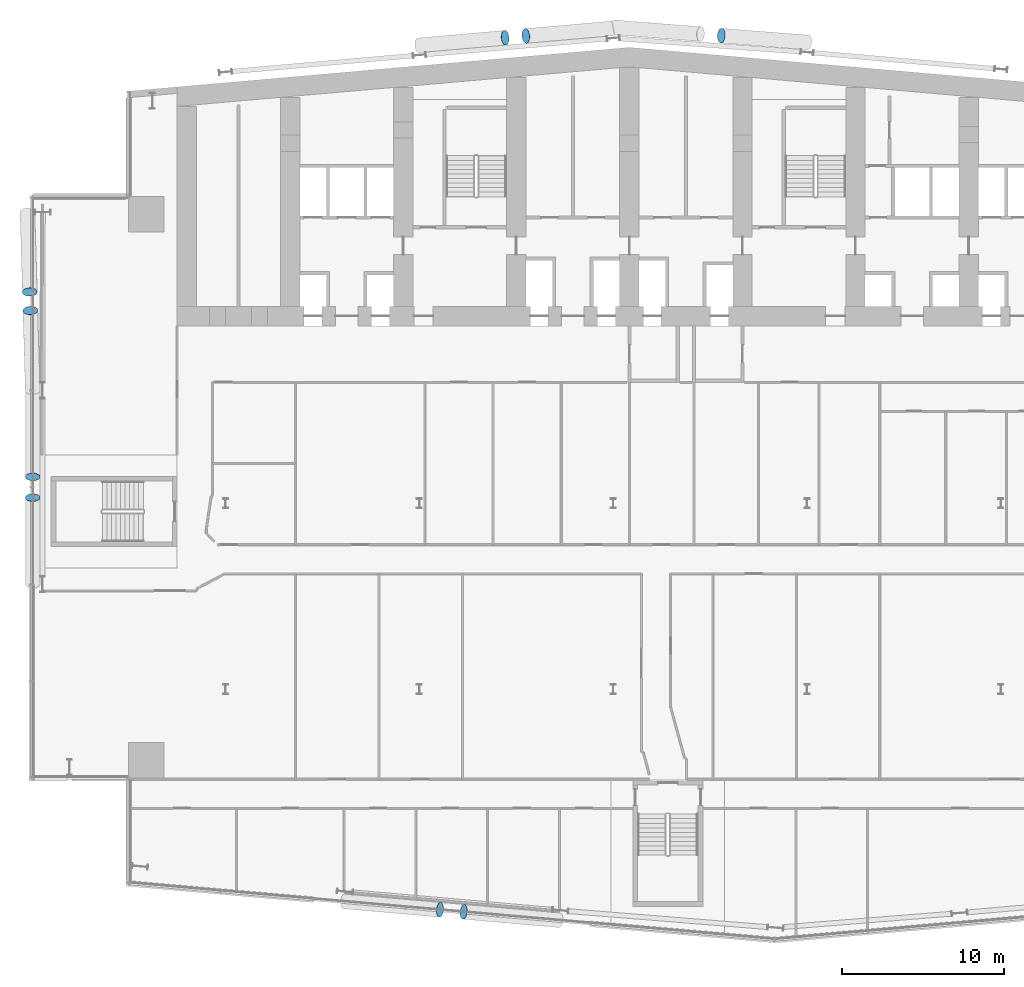
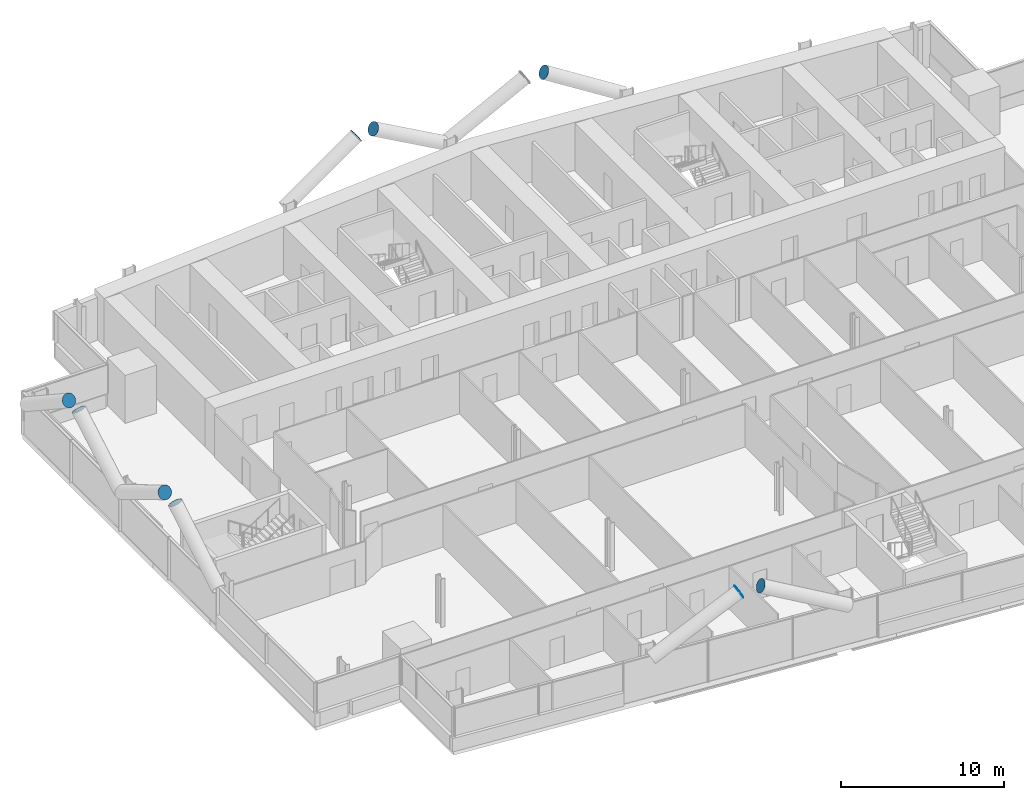
# One storey, part 22 of 28: 9 discrete accessories.
"""IFC4 building model written with IfcOpenShell, lengths in metres."""

from ifc_helpers import new_model, si_unit, direction, frame, origin, origin_2d, place, context, subcontext, project, spatial, circle, extrude, material, material_profile, profile_set, type_object, element, save


model = new_model("IFC4")

# Units and contexts
model_context = context("Model", 3, precision=1e-05, world=origin(), true_north=direction((0.0, 1.0)))
body_context = subcontext(model_context, "Body", "Model", "MODEL_VIEW")
ifc_project = project(units=[si_unit("LENGTHUNIT", "METRE"), si_unit("AREAUNIT", "SQUARE_METRE"), si_unit("VOLUMEUNIT", "CUBIC_METRE"), si_unit("PLANEANGLEUNIT", "RADIAN"), si_unit("MASSUNIT", "GRAM", prefix="KILO")], contexts=[model_context])

# Site, building, storey
site_placement = place(None, origin())
site = spatial("IfcSite", under=ifc_project, at=site_placement, CompositionType="ELEMENT")
building_placement = place(site_placement, origin())
building = spatial("IfcBuilding", under=site, at=building_placement, Name="Wharfspan Tower", CompositionType="ELEMENT")
storey_placement = place(building_placement, frame((0.0, 0.0, 59.5)))
storey = spatial("IfcBuildingStorey", under=building, at=storey_placement, Name="L11", CompositionType="ELEMENT", Elevation=59.5)

# Discrete accessories
ifc_material = material(Name="Steel S460NH", Category="steel")
ifc_material_profile = material_profile(ifc_material, circle(Radius=0.457031, at=origin_2d()))
ifc_profile_set = profile_set([ifc_material_profile], Name="Steel S460NH")
discrete_accessory_type = type_object("IfcDiscreteAccessoryType", Name="End plate CHS 914x40", PredefinedType="BRACKET", material=ifc_profile_set)
for number, where, z_axis, x_axis, name in (
    (1, (25.263184, -2.155029, 6.099609), (0.881993, -0.073499, 0.465496), (0.083046, 0.996545, -2e-06), "End plate CHS 914x40"),
    (2, (26.746338, -2.284912, 6.099609), (-0.880146, 0.097794, 0.464521), (-0.110432, -0.993888, 0.0), "End plate CHS 914x40"),
):
    element("IfcDiscreteAccessory", number, at=place(storey_placement, frame(where, z_axis=z_axis, x_axis=x_axis)), inside=storey, type_object=discrete_accessory_type, Name=name, PredefinedType="BRACKET", context=body_context, shape_type="SweptSolid", body=[
        extrude(circle(Radius=0.457031, at=origin_2d()), origin(), (0.0, 0.0, 1.0), 0.01001),
    ])
for number, where, z_axis, x_axis, name in (
    (3, (0.054932, 24.649902, 6.110107), (0.0, -0.863779, 0.503871), (1.0, 0.0, 0.0), "End plate CHS 914x40"),
    (4, (0.054932, 23.350098, 6.110107), (0.0, 0.863779, 0.503871), (-1.0, 0.0, 0.0), "End plate CHS 914x40"),
):
    element("IfcDiscreteAccessory", number, at=place(storey_placement, frame(where, z_axis=z_axis, x_axis=x_axis)), inside=storey, type_object=discrete_accessory_type, Name=name, PredefinedType="BRACKET", context=body_context, shape_type="SweptSolid", body=[
        extrude(circle(Radius=0.457031, at=origin_2d()), origin(), (0.0, 0.0, 1.0), 0.010254),
    ])
for number, where, z_axis, x_axis, name in (
    (5, (-0.126465, 36.100586, 6.119141), (0.024354, -0.828038, 0.560143), (0.999568, 0.029399, 0.0), "End plate CHS 914x40"),
    (6, (-0.091797, 34.933594, 6.119141), (-0.024354, 0.828038, 0.560143), (-0.999568, -0.029399, 0.0), "End plate CHS 914x40"),
    (7, (29.296875, 51.831055, 6.109619), (0.855186, 0.073302, 0.513112), (-0.085402, 0.996345, 1e-06), "End plate CHS 914x40"),
    (8, (30.597656, 51.944824, 6.109619), (-0.855186, -0.073302, 0.513112), (0.085402, -0.996345, 1e-06), "End plate CHS 914x40"),
    (9, (42.696533, 51.959961, 6.109863), (-0.856465, 0.048941, 0.513879), (-0.05705, -0.998372, 0.0), "End plate CHS 914x40"),
):
    element("IfcDiscreteAccessory", number, at=place(storey_placement, frame(where, z_axis=z_axis, x_axis=x_axis)), inside=storey, type_object=discrete_accessory_type, Name=name, PredefinedType="BRACKET", context=body_context, shape_type="SweptSolid", body=[
        extrude(circle(Radius=0.457031, at=origin_2d()), origin(), (0.0, 0.0, 1.0), 0.01001),
    ])

save(model, "model.ifc")
